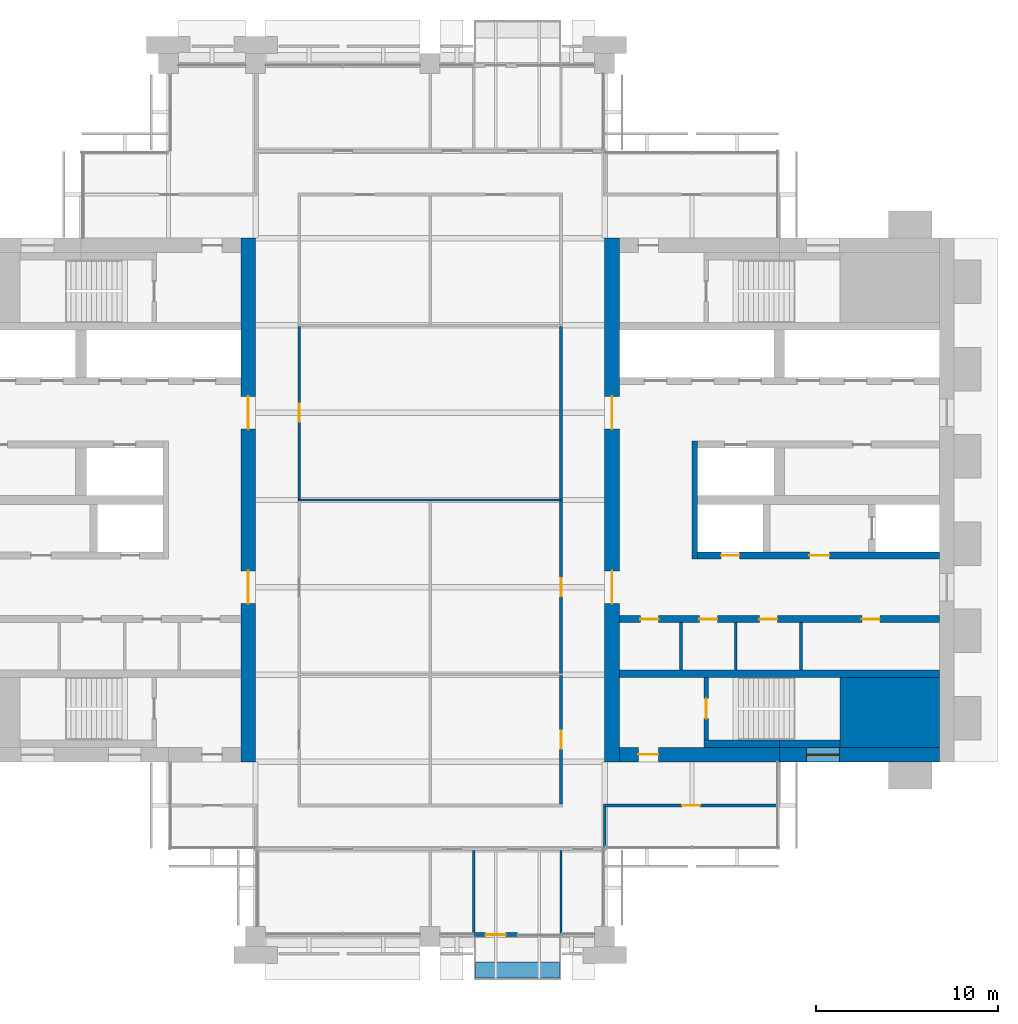
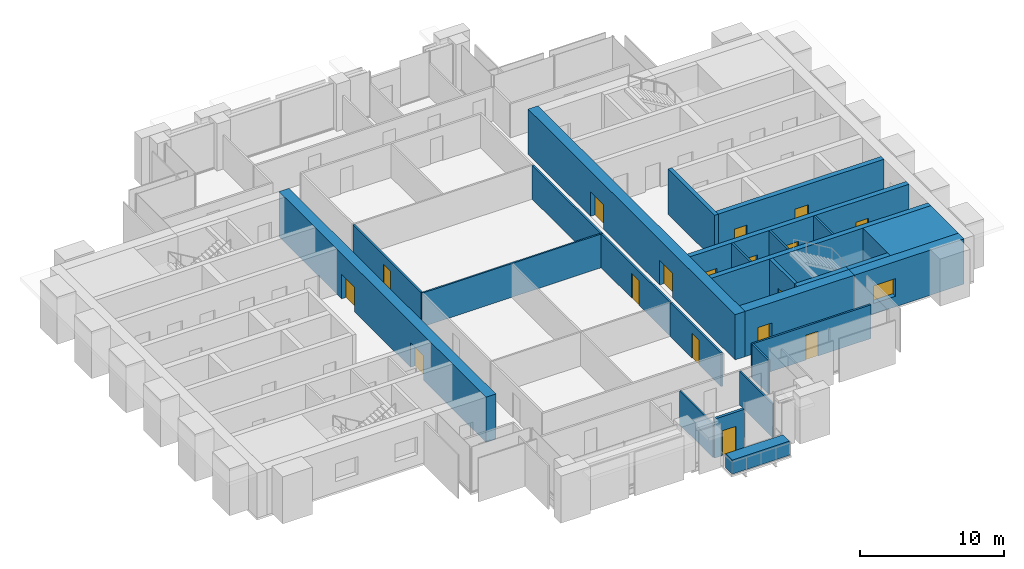
# One storey, part 9 of 14: 26 walls, 17 doors, 1 window, 18 openings.
"""IFC4 building model written with IfcOpenShell, lengths in metres."""

from ifc_helpers import new_model, si_unit, direction, frame, frame_2d, origin, place, context, subcontext, project, spatial, rectangle, extrude, material, layer, layer_set, type_object, element, fill, save


model = new_model("IFC4")

# Units and contexts
model_context = context("Model", 3, precision=1e-05, world=origin(), true_north=direction((0.0, 1.0)))
body_context = subcontext(model_context, "Body", "Model", "MODEL_VIEW")
ifc_project = project(units=[si_unit("LENGTHUNIT", "METRE"), si_unit("AREAUNIT", "SQUARE_METRE"), si_unit("VOLUMEUNIT", "CUBIC_METRE"), si_unit("PLANEANGLEUNIT", "RADIAN"), si_unit("MASSUNIT", "GRAM", prefix="KILO")], contexts=[model_context])

# Site, building, storey
site_placement = place(None, origin())
site = spatial("IfcSite", under=ifc_project, at=site_placement, CompositionType="ELEMENT")
building_placement = place(site_placement, origin())
building = spatial("IfcBuilding", under=site, at=building_placement, Name="Baori Bourse Tower", CompositionType="ELEMENT")
storey_placement = place(building_placement, frame((0.0, 0.0, 221.199951171875)))
storey = spatial("IfcBuildingStorey", under=building, at=storey_placement, Name="L48", CompositionType="ELEMENT", Elevation=221.199951171875)

# Walls
ifc_material_1 = material(Name="Concrete f'c 50 MPa", Category="concrete")
wall_type_1 = type_object("IfcWallType", Name="Core corner block f'c 50", PredefinedType="SHEAR", material=ifc_material_1)
wall_1_placement = place(storey_placement, frame((51.35009765625, 12.324951171875, 0.0), z_axis=(0.0, 0.0, 1.0), x_axis=(1.0, 0.0, 0.0)))
element("IfcWall", 1, at=wall_1_placement, inside=storey, type_object=wall_type_1, Name="Core wall E05", PredefinedType="SHEAR", context=body_context, shape_type="SweptSolid", body=[
    extrude(rectangle(XDim=5.449951171875, YDim=3.85009765625, at=frame_2d((2.72509765625, 0.0))), origin(), (0.0, 0.0, 1.0), 3.840087890625),
])
ifc_material_2 = material(Name="Blockwork partition", Category="masonry")
ifc_layer_1 = layer(ifc_material_2, 0.14990234375)
ifc_layer_set_1 = layer_set([ifc_layer_1], Name="Core partition 150")
wall_type_2 = type_object("IfcWallType", Name="Core partition 150", PredefinedType="PARTITIONING", material=ifc_layer_set_1)
for number, where, z_axis, x_axis, name in (
    (2, (49.199951171875, 14.64990234375, 0.0), (0.0, 0.0, 1.0), (0.0, 1.0, 0.0), "Partition wall E10"),
    (3, (45.60009765625, 14.64990234375, 0.0), (0.0, 0.0, 1.0), (0.0, 1.0, 0.0), "Partition wall E11"),
    (4, (42.60009765625, 14.64990234375, 0.0), (0.0, 0.0, 1.0), (0.0, 1.0, 0.0), "Partition wall E12"),
):
    element("IfcWall", number, at=place(storey_placement, frame(where, z_axis=z_axis, x_axis=x_axis)), inside=storey, type_object=wall_type_2, Name=name, PredefinedType="PARTITIONING", context=body_context, shape_type="SweptSolid", body=[
        extrude(rectangle(XDim=2.60009765625, YDim=0.14990234375, at=frame_2d((1.300048828125, 0.0))), origin(), (0.0, 0.0, 1.0), 3.840087890625),
    ])

# Wall, openings, doors
ifc_material_3 = material(Name="Concrete f'c 50 MPa", Category="concrete")
ifc_layer_2 = layer(ifc_material_3, 0.800048828125)
ifc_layer_set_2 = layer_set([ifc_layer_2], Name="Core wall 800 f'c 50")
wall_type_3 = type_object("IfcWallType", Name="Core wall 800 f'c 50", PredefinedType="SHEAR", material=ifc_layer_set_2)
wall_2_placement = place(storey_placement, frame((18.800048828125, 38.39990234375, 0.0), z_axis=(0.0, 0.0, 1.0), x_axis=(0.0, -1.0, 0.0)))
wall_2 = element("IfcWall", 5, at=wall_2_placement, inside=storey, type_object=wall_type_3, Name="Core wall W04", PredefinedType="SHEAR", context=body_context, shape_type="SweptSolid", body=[
    extrude(rectangle(XDim=28.7998046875, YDim=0.800048828125, at=frame_2d((14.39990234375, 0.0))), origin(), (0.0, 0.0, 1.0), 3.840087890625),
])
opening_1_placement = place(wall_2_placement, frame((18.300048828125, 0.0, 0.0)))
opening_1 = element("IfcOpeningElement", 6, at=opening_1_placement, cuts=wall_2, Name="Opening L48-D107", PredefinedType="OPENING", context=body_context, shape_type="SweptSolid", body=[
    extrude(rectangle(XDim=1.800048828125, YDim=2.10009765625, at=frame_2d((0.89990234375, 1.050048828125))), frame((0.0, 0.409912109375, 0.0), z_axis=(0.0, -1.0, 0.0), x_axis=(1.0, 0.0, 0.0)), (0.0, 0.0, 1.0), 0.820068359375),
])
opening_2_placement = place(wall_2_placement, frame((8.699951171875, 0.0, 0.0)))
opening_2 = element("IfcOpeningElement", 7, at=opening_2_placement, cuts=wall_2, Name="Opening L48-D108", PredefinedType="OPENING", context=body_context, shape_type="SweptSolid", body=[
    extrude(rectangle(XDim=1.800048828125, YDim=2.10009765625, at=frame_2d((0.89990234375, 1.050048828125))), frame((0.0, 0.409912109375, 0.0), z_axis=(0.0, -1.0, 0.0), x_axis=(1.0, 0.0, 0.0)), (0.0, 0.0, 1.0), 0.820068359375),
])
ifc_material_4 = material(Name="Painted steel door", Category="steel")
door_type_1 = type_object("IfcDoorType", Name="Core lobby door 1800", OperationType="DOUBLE_DOOR_SINGLE_SWING", PredefinedType="DOOR", material=ifc_material_4)
door_1_placement = place(opening_1_placement, origin())
door_1 = element("IfcDoor", 8, at=door_1_placement, inside=storey, type_object=door_type_1, Name="Lobby door W L48", OperationType="DOUBLE_DOOR_SINGLE_SWING", OverallHeight=2.10009765625, OverallWidth=1.800048828125, PredefinedType="DOOR", context=body_context, shape_type="SweptSolid", body=[
    extrude(rectangle(XDim=1.800048828125, YDim=2.10009765625, at=frame_2d((0.89990234375, 1.050048828125))), frame((0.0, 0.02490234375, 0.0), z_axis=(0.0, -1.0, 0.0), x_axis=(1.0, 0.0, 0.0)), (0.0, 0.0, 1.0), 0.050048828125),
])
fill(opening_1, door_1)
door_2_placement = place(opening_2_placement, origin())
door_2 = element("IfcDoor", 9, at=door_2_placement, inside=storey, type_object=door_type_1, Name="Lobby door W L48", OperationType="DOUBLE_DOOR_SINGLE_SWING", OverallHeight=2.10009765625, OverallWidth=1.800048828125, PredefinedType="DOOR", context=body_context, shape_type="SweptSolid", body=[
    extrude(rectangle(XDim=1.800048828125, YDim=2.10009765625, at=frame_2d((0.89990234375, 1.050048828125))), frame((0.0, 0.02490234375, 0.0), z_axis=(0.0, -1.0, 0.0), x_axis=(1.0, 0.0, 0.0)), (0.0, 0.0, 1.0), 0.050048828125),
])
fill(opening_2, door_2)

# Wall, opening, window
wall_3_placement = place(storey_placement, frame((56.800048828125, 10.0, 0.0), z_axis=(0.0, 0.0, 1.0), x_axis=(-1.0, 0.0, 0.0)))
wall_3 = element("IfcWall", 10, at=wall_3_placement, inside=storey, type_object=wall_type_3, Name="Core wall E02", PredefinedType="SHEAR", context=body_context, shape_type="SweptSolid", body=[
    extrude(rectangle(XDim=8.800048828125, YDim=0.800048828125, at=frame_2d((4.39990234375, 0.0))), origin(), (0.0, 0.0, 1.0), 3.840087890625),
])
opening_3_placement = place(wall_3_placement, frame((5.5, 0.0, 0.89990234375)))
opening_3 = element("IfcOpeningElement", 11, at=opening_3_placement, cuts=wall_3, Name="Opening L48-KW203", PredefinedType="OPENING", context=body_context, shape_type="SweptSolid", body=[
    extrude(rectangle(XDim=1.800048828125, YDim=1.5, at=frame_2d((0.89990234375, 0.75))), frame((0.0, 0.409912109375, 0.0), z_axis=(0.0, -1.0, 0.0), x_axis=(1.0, 0.0, 0.0)), (0.0, 0.0, 1.0), 0.820068359375),
])
ifc_material_5 = material(Name="Pale anodised aluminium", Category="aluminium")
window_type = type_object("IfcWindowType", Name="Stair window 1800 x 1500", PartitioningType="SINGLE_PANEL", PredefinedType="WINDOW", material=ifc_material_5)
window_placement = place(opening_3_placement, origin())
window = element("IfcWindow", 12, at=window_placement, inside=storey, type_object=window_type, Name="Stair window E L48 3", OverallHeight=1.5, OverallWidth=1.800048828125, PartitioningType="SINGLE_PANEL", PredefinedType="WINDOW", context=body_context, shape_type="SweptSolid", body=[
    extrude(rectangle(XDim=1.800048828125, YDim=1.5, at=frame_2d((0.89990234375, 0.75))), frame((0.0, 0.030029296875, 0.0), z_axis=(0.0, -1.0, 0.0), x_axis=(1.0, 0.0, 0.0)), (0.0, 0.0, 1.0), 0.06005859375),
])
fill(opening_3, window)

# Wall, opening, door
wall_4_placement = place(storey_placement, frame((48.0, 10.0, 0.0), z_axis=(0.0, 0.0, 1.0), x_axis=(-1.0, 0.0, 0.0)))
wall_4 = element("IfcWall", 13, at=wall_4_placement, inside=storey, type_object=wall_type_3, Name="Core wall E03", PredefinedType="SHEAR", context=body_context, shape_type="SweptSolid", body=[
    extrude(rectangle(XDim=8.800048828125, YDim=0.800048828125, at=frame_2d((4.39990234375, 0.0))), origin(), (0.0, 0.0, 1.0), 3.840087890625),
])
opening_4_placement = place(wall_4_placement, frame((6.64990234375, 0.0, 0.0)))
opening_4 = element("IfcOpeningElement", 14, at=opening_4_placement, cuts=wall_4, Name="Opening L48-D202", PredefinedType="OPENING", context=body_context, shape_type="SweptSolid", body=[
    extrude(rectangle(XDim=1.10009765625, YDim=2.10009765625, at=frame_2d((0.550048828125, 1.050048828125))), frame((0.0, 0.409912109375, 0.0), z_axis=(0.0, -1.0, 0.0), x_axis=(1.0, 0.0, 0.0)), (0.0, 0.0, 1.0), 0.820068359375),
])
ifc_material_6 = material(Name="Painted steel door", Category="steel")
door_type_2 = type_object("IfcDoorType", Name="Stair door 1100", OperationType="SINGLE_SWING_LEFT", PredefinedType="DOOR", material=ifc_material_6)
door_3_placement = place(opening_4_placement, origin())
door_3 = element("IfcDoor", 15, at=door_3_placement, inside=storey, type_object=door_type_2, Name="Stair vestibule door A E L48", OperationType="SINGLE_SWING_LEFT", OverallHeight=2.10009765625, OverallWidth=1.10009765625, PredefinedType="DOOR", context=body_context, shape_type="SweptSolid", body=[
    extrude(rectangle(XDim=1.10009765625, YDim=2.10009765625, at=frame_2d((0.550048828125, 1.050048828125))), frame((0.0, 0.02490234375, 0.0), z_axis=(0.0, -1.0, 0.0), x_axis=(1.0, 0.0, 0.0)), (0.0, 0.0, 1.0), 0.050048828125),
])
fill(opening_4, door_3)

# Wall, openings, doors
wall_5_placement = place(storey_placement, frame((38.800048828125, 9.60009765625, 0.0), z_axis=(0.0, 0.0, 1.0), x_axis=(0.0, 1.0, 0.0)))
wall_5 = element("IfcWall", 16, at=wall_5_placement, inside=storey, type_object=wall_type_3, Name="Core wall E04", PredefinedType="SHEAR", context=body_context, shape_type="SweptSolid", body=[
    extrude(rectangle(XDim=28.7998046875, YDim=0.800048828125, at=frame_2d((14.39990234375, 0.0))), origin(), (0.0, 0.0, 1.0), 3.840087890625),
])
opening_5_placement = place(wall_5_placement, frame((8.699951171875, 0.0, 0.0)))
opening_5 = element("IfcOpeningElement", 17, at=opening_5_placement, cuts=wall_5, Name="Opening L48-D207", PredefinedType="OPENING", context=body_context, shape_type="SweptSolid", body=[
    extrude(rectangle(XDim=1.800048828125, YDim=2.10009765625, at=frame_2d((0.89990234375, 1.050048828125))), frame((0.0, 0.409912109375, 0.0), z_axis=(0.0, -1.0, 0.0), x_axis=(1.0, 0.0, 0.0)), (0.0, 0.0, 1.0), 0.820068359375),
])
opening_6_placement = place(wall_5_placement, frame((18.300048828125, 0.0, 0.0)))
opening_6 = element("IfcOpeningElement", 18, at=opening_6_placement, cuts=wall_5, Name="Opening L48-D208", PredefinedType="OPENING", context=body_context, shape_type="SweptSolid", body=[
    extrude(rectangle(XDim=1.800048828125, YDim=2.10009765625, at=frame_2d((0.89990234375, 1.050048828125))), frame((0.0, 0.409912109375, 0.0), z_axis=(0.0, -1.0, 0.0), x_axis=(1.0, 0.0, 0.0)), (0.0, 0.0, 1.0), 0.820068359375),
])
door_4_placement = place(opening_5_placement, origin())
door_4 = element("IfcDoor", 19, at=door_4_placement, inside=storey, type_object=door_type_1, Name="Lobby door E L48", OperationType="DOUBLE_DOOR_SINGLE_SWING", OverallHeight=2.10009765625, OverallWidth=1.800048828125, PredefinedType="DOOR", context=body_context, shape_type="SweptSolid", body=[
    extrude(rectangle(XDim=1.800048828125, YDim=2.10009765625, at=frame_2d((0.89990234375, 1.050048828125))), frame((0.0, 0.02490234375, 0.0), z_axis=(0.0, -1.0, 0.0), x_axis=(1.0, 0.0, 0.0)), (0.0, 0.0, 1.0), 0.050048828125),
])
fill(opening_5, door_4)
door_5_placement = place(opening_6_placement, origin())
door_5 = element("IfcDoor", 20, at=door_5_placement, inside=storey, type_object=door_type_1, Name="Lobby door E L48", OperationType="DOUBLE_DOOR_SINGLE_SWING", OverallHeight=2.10009765625, OverallWidth=1.800048828125, PredefinedType="DOOR", context=body_context, shape_type="SweptSolid", body=[
    extrude(rectangle(XDim=1.800048828125, YDim=2.10009765625, at=frame_2d((0.89990234375, 1.050048828125))), frame((0.0, 0.02490234375, 0.0), z_axis=(0.0, -1.0, 0.0), x_axis=(1.0, 0.0, 0.0)), (0.0, 0.0, 1.0), 0.050048828125),
])
fill(opening_6, door_5)

# Wall, opening, door
ifc_material_7 = material(Name="Gypsum board partition")
ifc_layer_3 = layer(ifc_material_7, 0.14990234375)
ifc_layer_set_3 = layer_set([ifc_layer_3], Name="Corridor partition 150")
wall_type_4 = type_object("IfcWallType", Name="Corridor partition 150", PredefinedType="PARTITIONING", material=ifc_layer_set_3)
wall_6_placement = place(storey_placement, frame((38.324951171875, 7.199951171875, 0.0), z_axis=(0.0, 0.0, 1.0), x_axis=(1.0, 0.0, 0.0)))
wall_6 = element("IfcWall", 21, at=wall_6_placement, inside=storey, type_object=wall_type_4, Name="Partition", PredefinedType="PARTITIONING", context=body_context, shape_type="SweptSolid", body=[
    extrude(rectangle(XDim=9.574951171875, YDim=0.14990234375, at=frame_2d((4.78759765625, 0.0))), origin(), (0.0, 0.0, 1.0), 2.869873046875),
])
opening_7_placement = place(wall_6_placement, frame((4.324951171875, 0.0, 0.0)))
opening_7 = element("IfcOpeningElement", 22, at=opening_7_placement, cuts=wall_6, Name="Opening L48-D06", PredefinedType="OPENING", context=body_context, shape_type="SweptSolid", body=[
    extrude(rectangle(XDim=1.0, YDim=2.10009765625, at=frame_2d((0.5, 1.050048828125))), frame((0.0, 0.0849609375, 0.0), z_axis=(0.0, -1.0, 0.0), x_axis=(1.0, 0.0, 0.0)), (0.0, 0.0, 1.0), 0.169921875),
])
ifc_material_8 = material(Name="Timber door leaf", Category="wood")
door_type_3 = type_object("IfcDoorType", Name="Door 1000 x 2100", OperationType="SINGLE_SWING_LEFT", PredefinedType="DOOR", material=ifc_material_8)
door_6_placement = place(opening_7_placement, origin())
door_6 = element("IfcDoor", 23, at=door_6_placement, inside=storey, type_object=door_type_3, Name="Door", OperationType="SINGLE_SWING_RIGHT", OverallHeight=2.10009765625, OverallWidth=1.0, PredefinedType="DOOR", context=body_context, shape_type="SweptSolid", body=[
    extrude(rectangle(XDim=1.0, YDim=2.10009765625, at=frame_2d((0.5, 1.050048828125))), frame((0.0, 0.02490234375, 0.0), z_axis=(0.0, -1.0, 0.0), x_axis=(1.0, 0.0, 0.0)), (0.0, 0.0, 1.0), 0.050048828125),
])
fill(opening_7, door_6)

wall_7_placement = place(storey_placement, frame((21.60009765625, 24.0625, 0.0), z_axis=(0.0, 0.0, 1.0), x_axis=(0.0, 1.0, 0.0)))
wall_7 = element("IfcWall", 24, at=wall_7_placement, inside=storey, type_object=wall_type_4, Name="Partition", PredefinedType="PARTITIONING", context=body_context, shape_type="SweptSolid", body=[
    extrude(rectangle(XDim=9.47509765625, YDim=0.14990234375, at=frame_2d((4.737548828125, 0.0))), origin(), (0.0, 0.0, 1.0), 2.869873046875),
])
opening_8_placement = place(wall_7_placement, frame((4.237548828125, 0.0, 0.0)))
opening_8 = element("IfcOpeningElement", 25, at=opening_8_placement, cuts=wall_7, Name="Opening L48-D17", PredefinedType="OPENING", context=body_context, shape_type="SweptSolid", body=[
    extrude(rectangle(XDim=1.0, YDim=2.10009765625, at=frame_2d((0.5, 1.050048828125))), frame((0.0, 0.0849609375, 0.0), z_axis=(0.0, -1.0, 0.0), x_axis=(1.0, 0.0, 0.0)), (0.0, 0.0, 1.0), 0.169921875),
])
door_7_placement = place(opening_8_placement, origin())
door_7 = element("IfcDoor", 26, at=door_7_placement, inside=storey, type_object=door_type_3, Name="Door", OperationType="SINGLE_SWING_LEFT", OverallHeight=2.10009765625, OverallWidth=1.0, PredefinedType="DOOR", context=body_context, shape_type="SweptSolid", body=[
    extrude(rectangle(XDim=1.0, YDim=2.10009765625, at=frame_2d((0.5, 1.050048828125))), frame((0.0, 0.02490234375, 0.0), z_axis=(0.0, -1.0, 0.0), x_axis=(1.0, 0.0, 0.0)), (0.0, 0.0, 1.0), 0.050048828125),
])
fill(opening_8, door_7)

wall_8_placement = place(storey_placement, frame((36.0, 7.27490234375, 0.0), z_axis=(0.0, 0.0, 1.0), x_axis=(0.0, 1.0, 0.0)))
wall_8 = element("IfcWall", 27, at=wall_8_placement, inside=storey, type_object=wall_type_4, Name="Partition", PredefinedType="PARTITIONING", context=body_context, shape_type="SweptSolid", body=[
    extrude(rectangle(XDim=7.0625, YDim=0.14990234375, at=frame_2d((3.53125, 0.0))), origin(), (0.0, 0.0, 1.0), 2.869873046875),
])
opening_9_placement = place(wall_8_placement, frame((3.03125, 0.0, 0.0)))
opening_9 = element("IfcOpeningElement", 28, at=opening_9_placement, cuts=wall_8, Name="Opening L48-D18", PredefinedType="OPENING", context=body_context, shape_type="SweptSolid", body=[
    extrude(rectangle(XDim=1.0, YDim=2.10009765625, at=frame_2d((0.5, 1.050048828125))), frame((0.0, 0.0849609375, 0.0), z_axis=(0.0, -1.0, 0.0), x_axis=(1.0, 0.0, 0.0)), (0.0, 0.0, 1.0), 0.169921875),
])
door_8_placement = place(opening_9_placement, origin())
door_8 = element("IfcDoor", 29, at=door_8_placement, inside=storey, type_object=door_type_3, Name="Door", OperationType="SINGLE_SWING_RIGHT", OverallHeight=2.10009765625, OverallWidth=1.0, PredefinedType="DOOR", context=body_context, shape_type="SweptSolid", body=[
    extrude(rectangle(XDim=1.0, YDim=2.10009765625, at=frame_2d((0.5, 1.050048828125))), frame((0.0, 0.02490234375, 0.0), z_axis=(0.0, -1.0, 0.0), x_axis=(1.0, 0.0, 0.0)), (0.0, 0.0, 1.0), 0.050048828125),
])
fill(opening_9, door_8)

wall_9_placement = place(storey_placement, frame((36.0, 14.46240234375, 0.0), z_axis=(0.0, 0.0, 1.0), x_axis=(0.0, 1.0, 0.0)))
wall_9 = element("IfcWall", 30, at=wall_9_placement, inside=storey, type_object=wall_type_4, Name="Partition", PredefinedType="PARTITIONING", context=body_context, shape_type="SweptSolid", body=[
    extrude(rectangle(XDim=9.47509765625, YDim=0.14990234375, at=frame_2d((4.737548828125, 0.0))), origin(), (0.0, 0.0, 1.0), 2.869873046875),
])
opening_10_placement = place(wall_9_placement, frame((4.237548828125, 0.0, 0.0)))
opening_10 = element("IfcOpeningElement", 31, at=opening_10_placement, cuts=wall_9, Name="Opening L48-D19", PredefinedType="OPENING", context=body_context, shape_type="SweptSolid", body=[
    extrude(rectangle(XDim=1.0, YDim=2.10009765625, at=frame_2d((0.5, 1.050048828125))), frame((0.0, 0.0849609375, 0.0), z_axis=(0.0, -1.0, 0.0), x_axis=(1.0, 0.0, 0.0)), (0.0, 0.0, 1.0), 0.169921875),
])
door_9_placement = place(opening_10_placement, origin())
door_9 = element("IfcDoor", 32, at=door_9_placement, inside=storey, type_object=door_type_3, Name="Door", OperationType="SINGLE_SWING_RIGHT", OverallHeight=2.10009765625, OverallWidth=1.0, PredefinedType="DOOR", context=body_context, shape_type="SweptSolid", body=[
    extrude(rectangle(XDim=1.0, YDim=2.10009765625, at=frame_2d((0.5, 1.050048828125))), frame((0.0, 0.02490234375, 0.0), z_axis=(0.0, -1.0, 0.0), x_axis=(1.0, 0.0, 0.0)), (0.0, 0.0, 1.0), 0.050048828125),
])
fill(opening_10, door_9)

# Walls
wall_10_placement = place(storey_placement, frame((36.0, 24.0625, 0.0), z_axis=(0.0, 0.0, 1.0), x_axis=(0.0, 1.0, 0.0)))
element("IfcWall", 33, at=wall_10_placement, inside=storey, type_object=wall_type_4, Name="Partition", PredefinedType="PARTITIONING", context=body_context, shape_type="SweptSolid", body=[
    extrude(rectangle(XDim=9.47509765625, YDim=0.14990234375, at=frame_2d((4.737548828125, 0.0))), origin(), (0.0, 0.0, 1.0), 2.869873046875),
])
wall_11_placement = place(storey_placement, frame((38.39990234375, 4.875, 0.0), z_axis=(0.0, 0.0, 1.0), x_axis=(0.0, 1.0, 0.0)))
element("IfcWall", 34, at=wall_11_placement, inside=storey, type_object=wall_type_4, Name="Partition", PredefinedType="PARTITIONING", context=body_context, shape_type="SweptSolid", body=[
    extrude(rectangle(XDim=2.25, YDim=0.14990234375, at=frame_2d((1.125, 0.0))), origin(), (0.0, 0.0, 1.0), 2.869873046875),
])

# Wall, opening, door
ifc_material_9 = material(Name="Pale anodised aluminium", Category="aluminium")
ifc_layer_4 = layer(ifc_material_9, 0.199951171875)
ifc_layer_set_4 = layer_set([ifc_layer_4], Name="EW1 External wall bay")
wall_type_5 = type_object("IfcWallType", Name="EW1 External wall bay", PredefinedType="SOLIDWALL", material=ifc_layer_set_4)
wall_12_placement = place(storey_placement, frame((31.199951171875, 0.10009765625, 0.0), z_axis=(0.0, 0.0, 1.0), x_axis=(1.0, 0.0, 0.0)))
wall_12 = element("IfcWall", 35, at=wall_12_placement, inside=storey, type_object=wall_type_5, Name="External wall bay L48 2", PredefinedType="SOLIDWALL", context=body_context, shape_type="SweptSolid", body=[
    extrude(rectangle(XDim=2.400146484375, YDim=0.199951171875, at=frame_2d((1.2001953125, 0.0))), origin(), (0.0, 0.0, 1.0), 3.314208984375),
])
opening_11_placement = place(wall_12_placement, frame((0.64990234375, 0.0, 0.0)))
opening_11 = element("IfcOpeningElement", 36, at=opening_11_placement, cuts=wall_12, Name="Opening L48-D92", PredefinedType="OPENING", context=body_context, shape_type="SweptSolid", body=[
    extrude(rectangle(XDim=1.10009765625, YDim=2.10009765625, at=frame_2d((0.550048828125, 1.050048828125))), frame((0.0, 0.10986328125, 0.0), z_axis=(0.0, -1.0, 0.0), x_axis=(1.0, 0.0, 0.0)), (0.0, 0.0, 1.0), 0.219970703125),
])
ifc_material_10 = material(Name="Pale anodised aluminium", Category="aluminium")
door_type_4 = type_object("IfcDoorType", Name="BL1 Balcony door", OperationType="SINGLE_SWING_LEFT", PredefinedType="DOOR", material=ifc_material_10)
door_10_placement = place(opening_11_placement, origin())
door_10 = element("IfcDoor", 37, at=door_10_placement, inside=storey, type_object=door_type_4, Name="Balcony door L48 2", OperationType="SINGLE_SWING_LEFT", OverallHeight=2.10009765625, OverallWidth=1.10009765625, PredefinedType="DOOR", context=body_context, shape_type="SweptSolid", body=[
    extrude(rectangle(XDim=1.10009765625, YDim=2.10009765625, at=frame_2d((0.550048828125, 1.050048828125))), frame((0.0, 0.02490234375, 0.0), z_axis=(0.0, -1.0, 0.0), x_axis=(1.0, 0.0, 0.0)), (0.0, 0.0, 1.0), 0.050048828125),
])
fill(opening_11, door_10)

# Walls
ifc_material_11 = material(Name="Concrete f'c 40 MPa", Category="concrete")
ifc_layer_5 = layer(ifc_material_11, 0.89990234375)
ifc_layer_set_5 = layer_set([ifc_layer_5], Name="PW1 Planter wall")
wall_type_6 = type_object("IfcWallType", Name="PW1 Planter wall", PredefinedType="USERDEFINED", material=ifc_layer_set_5)
wall_13_placement = place(storey_placement, frame((31.300048828125, -1.85009765625, 0.0), z_axis=(0.0, 0.0, 1.0), x_axis=(1.0, 0.0, 0.0)))
element("IfcWall", 38, at=wall_13_placement, inside=storey, type_object=wall_type_6, Name="Planter balcony S L48 1", ObjectType="PLANTER", PredefinedType="USERDEFINED", context=body_context, shape_type="SweptSolid", body=[
    extrude(rectangle(XDim=4.599853515625, YDim=0.89990234375, at=frame_2d((2.2998046875, 0.0))), origin(), (0.0, 0.0, 1.0), 1.199951171875),
])
ifc_material_12 = material(Name="Gypsum board partition")
ifc_layer_6 = layer(ifc_material_12, 0.125)
ifc_layer_set_6 = layer_set([ifc_layer_6], Name="Partition 125")
wall_type_7 = type_object("IfcWallType", Name="Partition 125", PredefinedType="PARTITIONING", material=ifc_layer_set_6)
wall_14_placement = place(storey_placement, frame((21.52490234375, 24.0, 0.0), z_axis=(0.0, 0.0, 1.0), x_axis=(1.0, 0.0, 0.0)))
element("IfcWall", 39, at=wall_14_placement, inside=storey, type_object=wall_type_7, Name="Partition", PredefinedType="PARTITIONING", context=body_context, shape_type="SweptSolid", body=[
    extrude(rectangle(XDim=14.550048828125, YDim=0.125, at=frame_2d((7.27490234375, 0.0))), origin(), (0.0, 0.0, 1.0), 2.869873046875),
])
for number, where, z_axis, x_axis, name in (
    (40, (31.199951171875, 0.10009765625, 0.0), (0.0, 0.0, 1.0), (0.0, 1.0, 0.0), "Partition"),
    (41, (36.0, 0.10009765625, 0.0), (0.0, 0.0, 1.0), (0.0, 1.0, 0.0), "Partition"),
):
    element("IfcWall", number, at=place(storey_placement, frame(where, z_axis=z_axis, x_axis=x_axis)), inside=storey, type_object=wall_type_7, Name=name, PredefinedType="PARTITIONING", context=body_context, shape_type="SweptSolid", body=[
        extrude(rectangle(XDim=4.625, YDim=0.125, at=frame_2d((2.3125, 0.0))), origin(), (0.0, 0.0, 1.0), 2.869873046875),
    ])

# Wall, opening, door
ifc_material_13 = material(Name="Concrete f'c 50 MPa", Category="concrete")
ifc_layer_7 = layer(ifc_material_13, 0.25)
ifc_layer_set_7 = layer_set([ifc_layer_7], Name="Shaft wall 250 f'c 50")
wall_type_8 = type_object("IfcWallType", Name="Shaft wall 250 f'c 50", PredefinedType="SHEAR", material=ifc_layer_set_7)
wall_15_placement = place(storey_placement, frame((43.97509765625, 10.800048828125, 0.0), z_axis=(0.0, 0.0, 1.0), x_axis=(0.0, 1.0, 0.0)))
wall_15 = element("IfcWall", 42, at=wall_15_placement, inside=storey, type_object=wall_type_8, Name="Core wall E08", PredefinedType="SHEAR", context=body_context, shape_type="SweptSolid", body=[
    extrude(rectangle(XDim=3.449951171875, YDim=0.25, at=frame_2d((1.72509765625, 0.0))), origin(), (0.0, 0.0, 1.0), 3.840087890625),
])
opening_12_placement = place(wall_15_placement, frame((1.175048828125, 0.0, 0.0)))
opening_12 = element("IfcOpeningElement", 43, at=opening_12_placement, cuts=wall_15, Name="Opening L48-D201", PredefinedType="OPENING", context=body_context, shape_type="SweptSolid", body=[
    extrude(rectangle(XDim=1.10009765625, YDim=2.10009765625, at=frame_2d((0.550048828125, 1.050048828125))), frame((0.0, 0.135009765625, 0.0), z_axis=(0.0, -1.0, 0.0), x_axis=(1.0, 0.0, 0.0)), (0.0, 0.0, 1.0), 0.27001953125),
])
door_11_placement = place(opening_12_placement, origin())
door_11 = element("IfcDoor", 44, at=door_11_placement, inside=storey, type_object=door_type_2, Name="Stair door A E L48", OperationType="SINGLE_SWING_LEFT", OverallHeight=2.10009765625, OverallWidth=1.10009765625, PredefinedType="DOOR", context=body_context, shape_type="SweptSolid", body=[
    extrude(rectangle(XDim=1.10009765625, YDim=2.10009765625, at=frame_2d((0.550048828125, 1.050048828125))), frame((0.0, 0.02490234375, 0.0), z_axis=(0.0, -1.0, 0.0), x_axis=(1.0, 0.0, 0.0)), (0.0, 0.0, 1.0), 0.050048828125),
])
fill(opening_12, door_11)

# Walls
ifc_material_14 = material(Name="Concrete f'c 50 MPa", Category="concrete")
ifc_layer_8 = layer(ifc_material_14, 0.300048828125)
ifc_layer_set_8 = layer_set([ifc_layer_8], Name="Shaft wall 300 f'c 50")
wall_type_9 = type_object("IfcWallType", Name="Shaft wall 300 f'c 50", PredefinedType="SHEAR", material=ifc_layer_set_8)
wall_16_placement = place(storey_placement, frame((43.35009765625, 20.75, 0.0), z_axis=(0.0, 0.0, 1.0), x_axis=(0.0, 1.0, 0.0)))
element("IfcWall", 45, at=wall_16_placement, inside=storey, type_object=wall_type_9, Name="Core wall E15", PredefinedType="SHEAR", context=body_context, shape_type="SweptSolid", body=[
    extrude(rectangle(XDim=6.5, YDim=0.300048828125, at=frame_2d((3.25, 0.0))), origin(), (0.0, 0.0, 1.0), 3.840087890625),
])
ifc_material_15 = material(Name="Concrete f'c 50 MPa", Category="concrete")
ifc_layer_9 = layer(ifc_material_15, 0.39990234375)
ifc_layer_set_9 = layer_set([ifc_layer_9], Name="Shaft wall 400 f'c 50")
wall_type_10 = type_object("IfcWallType", Name="Shaft wall 400 f'c 50", PredefinedType="SHEAR", material=ifc_layer_set_9)
wall_17_placement = place(storey_placement, frame((48.0, 10.60009765625, 0.0), z_axis=(0.0, 0.0, 1.0), x_axis=(1.0, 0.0, 0.0)))
element("IfcWall", 46, at=wall_17_placement, inside=storey, type_object=wall_type_10, Name="Core wall E06", PredefinedType="SHEAR", context=body_context, shape_type="SweptSolid", body=[
    extrude(rectangle(XDim=3.35009765625, YDim=0.39990234375, at=frame_2d((1.675048828125, 0.0))), origin(), (0.0, 0.0, 1.0), 3.840087890625),
])
wall_18_placement = place(storey_placement, frame((43.85009765625, 10.60009765625, 0.0), z_axis=(0.0, 0.0, 1.0), x_axis=(1.0, 0.0, 0.0)))
element("IfcWall", 47, at=wall_18_placement, inside=storey, type_object=wall_type_10, Name="Core wall E07", PredefinedType="SHEAR", context=body_context, shape_type="SweptSolid", body=[
    extrude(rectangle(XDim=4.14990234375, YDim=0.39990234375, at=frame_2d((2.074951171875, 0.0))), origin(), (0.0, 0.0, 1.0), 3.840087890625),
])
wall_19_placement = place(storey_placement, frame((39.199951171875, 14.449951171875, 0.0), z_axis=(0.0, 0.0, 1.0), x_axis=(1.0, 0.0, 0.0)))
element("IfcWall", 48, at=wall_19_placement, inside=storey, type_object=wall_type_10, Name="Core wall E09", PredefinedType="SHEAR", context=body_context, shape_type="SweptSolid", body=[
    extrude(rectangle(XDim=17.60009765625, YDim=0.39990234375, at=frame_2d((8.800048828125, 0.0))), origin(), (0.0, 0.0, 1.0), 3.840087890625),
])

# Wall, openings, doors
wall_20_placement = place(storey_placement, frame((39.199951171875, 17.449951171875, 0.0), z_axis=(0.0, 0.0, 1.0), x_axis=(1.0, 0.0, 0.0)))
wall_20 = element("IfcWall", 49, at=wall_20_placement, inside=storey, type_object=wall_type_10, Name="Core wall E13", PredefinedType="SHEAR", context=body_context, shape_type="SweptSolid", body=[
    extrude(rectangle(XDim=17.60009765625, YDim=0.39990234375, at=frame_2d((8.800048828125, 0.0))), origin(), (0.0, 0.0, 1.0), 3.840087890625),
])
opening_13_placement = place(wall_20_placement, frame((13.33740234375, 0.0, 0.0)))
opening_13 = element("IfcOpeningElement", 50, at=opening_13_placement, cuts=wall_20, Name="Opening L48-D209", PredefinedType="OPENING", context=body_context, shape_type="SweptSolid", body=[
    extrude(rectangle(XDim=1.0, YDim=2.10009765625, at=frame_2d((0.5, 1.050048828125))), frame((0.0, 0.2099609375, 0.0), z_axis=(0.0, -1.0, 0.0), x_axis=(1.0, 0.0, 0.0)), (0.0, 0.0, 1.0), 0.419921875),
])
opening_14_placement = place(wall_20_placement, frame((7.699951171875, 0.0, 0.0)))
opening_14 = element("IfcOpeningElement", 51, at=opening_14_placement, cuts=wall_20, Name="Opening L48-D210", PredefinedType="OPENING", context=body_context, shape_type="SweptSolid", body=[
    extrude(rectangle(XDim=1.0, YDim=2.10009765625, at=frame_2d((0.5, 1.050048828125))), frame((0.0, 0.2099609375, 0.0), z_axis=(0.0, -1.0, 0.0), x_axis=(1.0, 0.0, 0.0)), (0.0, 0.0, 1.0), 0.419921875),
])
opening_15_placement = place(wall_20_placement, frame((4.39990234375, 0.0, 0.0)))
opening_15 = element("IfcOpeningElement", 52, at=opening_15_placement, cuts=wall_20, Name="Opening L48-D211", PredefinedType="OPENING", context=body_context, shape_type="SweptSolid", body=[
    extrude(rectangle(XDim=1.0, YDim=2.10009765625, at=frame_2d((0.5, 1.050048828125))), frame((0.0, 0.2099609375, 0.0), z_axis=(0.0, -1.0, 0.0), x_axis=(1.0, 0.0, 0.0)), (0.0, 0.0, 1.0), 0.419921875),
])
opening_16_placement = place(wall_20_placement, frame((1.16259765625, 0.0, 0.0)))
opening_16 = element("IfcOpeningElement", 53, at=opening_16_placement, cuts=wall_20, Name="Opening L48-D212", PredefinedType="OPENING", context=body_context, shape_type="SweptSolid", body=[
    extrude(rectangle(XDim=1.0, YDim=2.10009765625, at=frame_2d((0.5, 1.050048828125))), frame((0.0, 0.2099609375, 0.0), z_axis=(0.0, -1.0, 0.0), x_axis=(1.0, 0.0, 0.0)), (0.0, 0.0, 1.0), 0.419921875),
])
ifc_material_16 = material(Name="Painted steel door", Category="steel")
door_type_5 = type_object("IfcDoorType", Name="Core door 1000", OperationType="SINGLE_SWING_LEFT", PredefinedType="DOOR", material=ifc_material_16)
door_12_placement = place(opening_13_placement, origin())
door_12 = element("IfcDoor", 54, at=door_12_placement, inside=storey, type_object=door_type_5, Name="Men'S Wc door E L48", OperationType="SINGLE_SWING_LEFT", OverallHeight=2.10009765625, OverallWidth=1.0, PredefinedType="DOOR", context=body_context, shape_type="SweptSolid", body=[
    extrude(rectangle(XDim=1.0, YDim=2.10009765625, at=frame_2d((0.5, 1.050048828125))), frame((0.0, 0.02490234375, 0.0), z_axis=(0.0, -1.0, 0.0), x_axis=(1.0, 0.0, 0.0)), (0.0, 0.0, 1.0), 0.050048828125),
])
fill(opening_13, door_12)
door_13_placement = place(opening_14_placement, origin())
door_13 = element("IfcDoor", 55, at=door_13_placement, inside=storey, type_object=door_type_5, Name="Women'S Wc door E L48", OperationType="SINGLE_SWING_LEFT", OverallHeight=2.10009765625, OverallWidth=1.0, PredefinedType="DOOR", context=body_context, shape_type="SweptSolid", body=[
    extrude(rectangle(XDim=1.0, YDim=2.10009765625, at=frame_2d((0.5, 1.050048828125))), frame((0.0, 0.02490234375, 0.0), z_axis=(0.0, -1.0, 0.0), x_axis=(1.0, 0.0, 0.0)), (0.0, 0.0, 1.0), 0.050048828125),
])
fill(opening_14, door_13)
door_14_placement = place(opening_15_placement, origin())
door_14 = element("IfcDoor", 56, at=door_14_placement, inside=storey, type_object=door_type_5, Name="Accessible Wc door E L48", OperationType="SINGLE_SWING_LEFT", OverallHeight=2.10009765625, OverallWidth=1.0, PredefinedType="DOOR", context=body_context, shape_type="SweptSolid", body=[
    extrude(rectangle(XDim=1.0, YDim=2.10009765625, at=frame_2d((0.5, 1.050048828125))), frame((0.0, 0.02490234375, 0.0), z_axis=(0.0, -1.0, 0.0), x_axis=(1.0, 0.0, 0.0)), (0.0, 0.0, 1.0), 0.050048828125),
])
fill(opening_15, door_14)
door_15_placement = place(opening_16_placement, origin())
door_15 = element("IfcDoor", 57, at=door_15_placement, inside=storey, type_object=door_type_5, Name="Store Room door E L48", OperationType="SINGLE_SWING_LEFT", OverallHeight=2.10009765625, OverallWidth=1.0, PredefinedType="DOOR", context=body_context, shape_type="SweptSolid", body=[
    extrude(rectangle(XDim=1.0, YDim=2.10009765625, at=frame_2d((0.5, 1.050048828125))), frame((0.0, 0.02490234375, 0.0), z_axis=(0.0, -1.0, 0.0), x_axis=(1.0, 0.0, 0.0)), (0.0, 0.0, 1.0), 0.050048828125),
])
fill(opening_16, door_15)

wall_21_placement = place(storey_placement, frame((43.5, 20.949951171875, 0.0), z_axis=(0.0, 0.0, 1.0), x_axis=(1.0, 0.0, 0.0)))
wall_21 = element("IfcWall", 58, at=wall_21_placement, inside=storey, type_object=wall_type_10, Name="Core wall E14", PredefinedType="SHEAR", context=body_context, shape_type="SweptSolid", body=[
    extrude(rectangle(XDim=13.300048828125, YDim=0.39990234375, at=frame_2d((6.64990234375, 0.0))), origin(), (0.0, 0.0, 1.0), 3.840087890625),
])
opening_17_placement = place(wall_21_placement, frame((6.14990234375, 0.0, 0.0)))
opening_17 = element("IfcOpeningElement", 59, at=opening_17_placement, cuts=wall_21, Name="Opening L48-D205", PredefinedType="OPENING", context=body_context, shape_type="SweptSolid", body=[
    extrude(rectangle(XDim=1.10009765625, YDim=2.10009765625, at=frame_2d((0.550048828125, 1.050048828125))), frame((0.0, 0.2099609375, 0.0), z_axis=(0.0, -1.0, 0.0), x_axis=(1.0, 0.0, 0.0)), (0.0, 0.0, 1.0), 0.419921875),
])
opening_18_placement = place(wall_21_placement, frame((1.300048828125, 0.0, 0.0)))
opening_18 = element("IfcOpeningElement", 60, at=opening_18_placement, cuts=wall_21, Name="Opening L48-D206", PredefinedType="OPENING", context=body_context, shape_type="SweptSolid", body=[
    extrude(rectangle(XDim=1.0, YDim=2.10009765625, at=frame_2d((0.5, 1.050048828125))), frame((0.0, 0.2099609375, 0.0), z_axis=(0.0, -1.0, 0.0), x_axis=(1.0, 0.0, 0.0)), (0.0, 0.0, 1.0), 0.419921875),
])
ifc_material_17 = material(Name="Painted steel door", Category="steel")
door_type_6 = type_object("IfcDoorType", Name="Lobby door 1100", OperationType="SINGLE_SWING_LEFT", PredefinedType="DOOR", material=ifc_material_17)
door_16_placement = place(opening_17_placement, origin())
door_16 = element("IfcDoor", 61, at=door_16_placement, inside=storey, type_object=door_type_6, Name="Firefighting lobby door E L48", OperationType="SINGLE_SWING_LEFT", OverallHeight=2.10009765625, OverallWidth=1.10009765625, PredefinedType="DOOR", context=body_context, shape_type="SweptSolid", body=[
    extrude(rectangle(XDim=1.10009765625, YDim=2.10009765625, at=frame_2d((0.550048828125, 1.050048828125))), frame((0.0, 0.02490234375, 0.0), z_axis=(0.0, -1.0, 0.0), x_axis=(1.0, 0.0, 0.0)), (0.0, 0.0, 1.0), 0.050048828125),
])
fill(opening_17, door_16)
ifc_material_18 = material(Name="Painted steel door", Category="steel")
door_type_7 = type_object("IfcDoorType", Name="Shaft door 1000", OperationType="SINGLE_SWING_LEFT", PredefinedType="DOOR", material=ifc_material_18)
door_17_placement = place(opening_18_placement, origin())
door_17 = element("IfcDoor", 62, at=door_17_placement, inside=storey, type_object=door_type_7, Name="Riser room door E L48", OperationType="SINGLE_SWING_LEFT", OverallHeight=2.10009765625, OverallWidth=1.0, PredefinedType="DOOR", context=body_context, shape_type="SweptSolid", body=[
    extrude(rectangle(XDim=1.0, YDim=2.10009765625, at=frame_2d((0.5, 1.050048828125))), frame((0.0, 0.02490234375, 0.0), z_axis=(0.0, -1.0, 0.0), x_axis=(1.0, 0.0, 0.0)), (0.0, 0.0, 1.0), 0.050048828125),
])
fill(opening_18, door_17)

save(model, "model.ifc")
